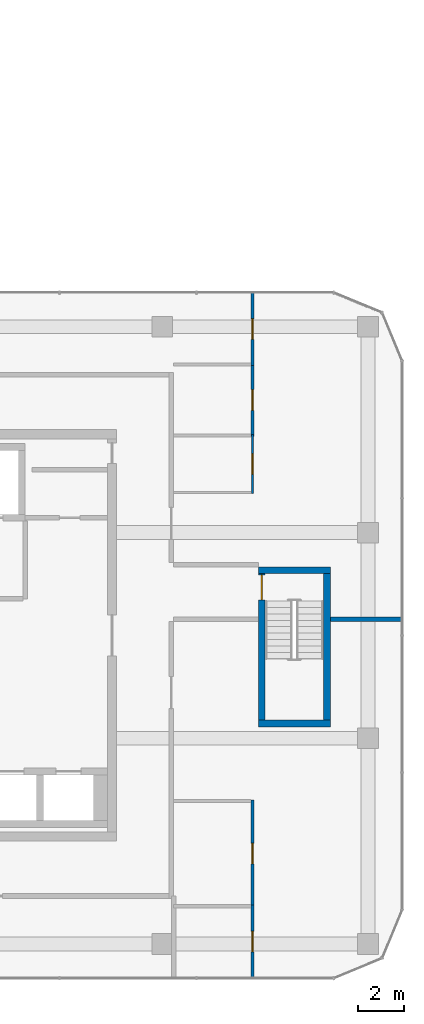
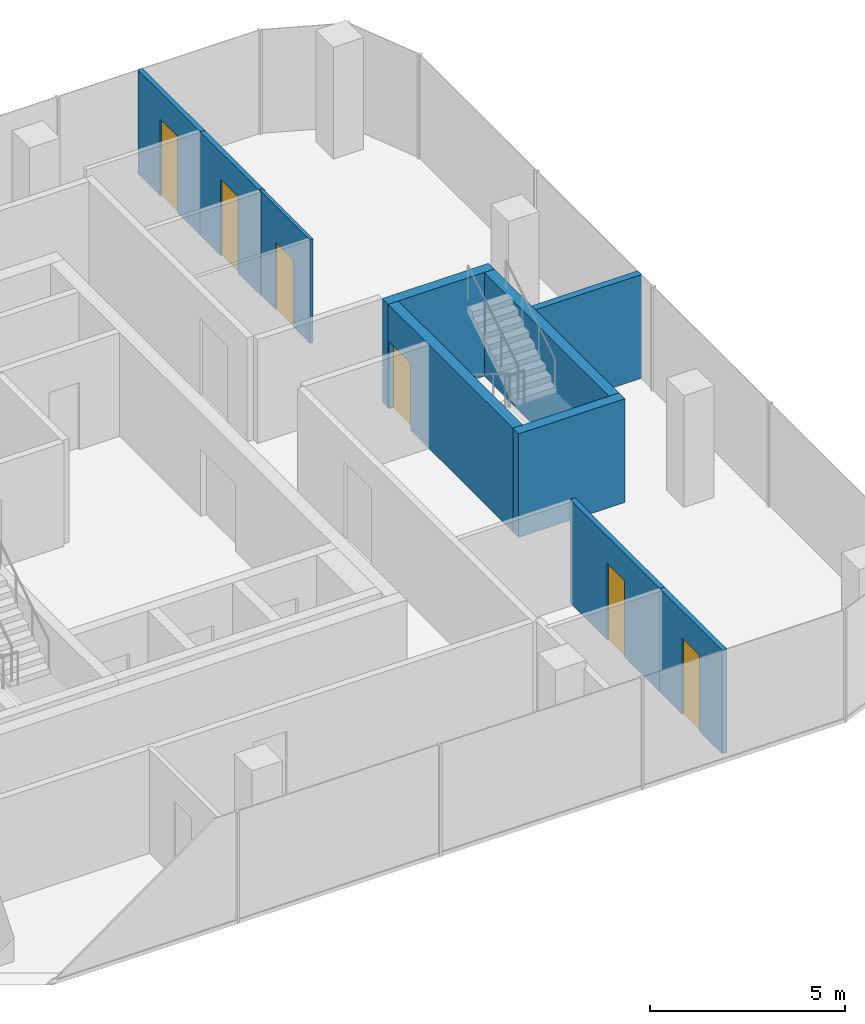
# One storey, part 19 of 23: 10 walls, 6 doors, 6 openings.
"""IFC4 building model written with IfcOpenShell, lengths in metres."""

from ifc_helpers import new_model, si_unit, direction, frame, frame_2d, origin, place, context, subcontext, project, spatial, rectangle, extrude, material, layer, layer_set, type_object, element, fill, save


model = new_model("IFC4")

# Units and contexts
model_context = context("Model", 3, precision=1e-05, world=origin(), true_north=direction((0.0, 1.0)))
body_context = subcontext(model_context, "Body", "Model", "MODEL_VIEW")
ifc_project = project(units=[si_unit("LENGTHUNIT", "METRE"), si_unit("AREAUNIT", "SQUARE_METRE"), si_unit("VOLUMEUNIT", "CUBIC_METRE"), si_unit("PLANEANGLEUNIT", "RADIAN"), si_unit("MASSUNIT", "GRAM", prefix="KILO")], contexts=[model_context])

# Site, building, storey
site_placement = place(None, origin())
site = spatial("IfcSite", under=ifc_project, at=site_placement, CompositionType="ELEMENT")
building_placement = place(site_placement, origin())
building = spatial("IfcBuilding", under=site, at=building_placement, Name="Plateau Cross Towers", CompositionType="ELEMENT")
storey_placement = place(building_placement, frame((0.0, 0.0, 92.300048828125)))
storey = spatial("IfcBuildingStorey", under=building, at=storey_placement, Name="L23", CompositionType="ELEMENT", Elevation=92.300048828125)

# Wall, opening, door
ifc_material_1 = material(Name="Concrete C60/75", Category="concrete")
ifc_layer_1 = layer(ifc_material_1, 0.300048828125)
ifc_layer_set_1 = layer_set([ifc_layer_1], Name="Concrete C60/75")
wall_type_1 = type_object("IfcWallType", Name="Core shaft wall 300", PredefinedType="SHEAR", material=ifc_layer_set_1)
wall_1_placement = place(storey_placement, frame((95.85009765625, 5.300048828125, 0.0), z_axis=(0.0, 0.0, 1.0), x_axis=(0.0, 1.0, 0.0)))
wall_1 = element("IfcWall", 1, at=wall_1_placement, inside=storey, type_object=wall_type_1, Name="B-sb3-W@L23", PredefinedType="SHEAR", context=body_context, shape_type="SweptSolid", body=[
    extrude(rectangle(XDim=6.39990234375, YDim=0.300048828125, at=frame_2d((3.199951171875, 0.0))), origin(), (0.0, 0.0, 1.0), 3.25),
])
opening_1_placement = place(wall_1_placement, frame((5.25, 0.0, 0.0)))
opening_1 = element("IfcOpeningElement", 2, at=opening_1_placement, cuts=wall_1, Name="Opening SD", PredefinedType="OPENING", context=body_context, shape_type="SweptSolid", body=[
    extrude(rectangle(XDim=1.10009765625, YDim=2.10009765625, at=frame_2d((0.550048828125, 1.050048828125))), frame((0.0, 0.159912109375, 0.0), z_axis=(0.0, -1.0, 0.0), x_axis=(1.0, 0.0, 0.0)), (0.0, 0.0, 1.0), 0.320068359375),
])
ifc_material_2 = material(Name="Steel, fire-resisting leaf", Category="steel")
door_type_1 = type_object("IfcDoorType", Name="Stair door 1100", OperationType="NOTDEFINED", PredefinedType="DOOR", material=ifc_material_2)
door_1_placement = place(opening_1_placement, origin())
door_1 = element("IfcDoor", 3, at=door_1_placement, inside=storey, type_object=door_type_1, Name="Stair door SD", OperationType="SINGLE_SWING_LEFT", OverallHeight=2.10009765625, OverallWidth=1.10009765625, PredefinedType="DOOR", context=body_context, shape_type="SweptSolid", body=[
    extrude(rectangle(XDim=1.10009765625, YDim=2.10009765625, at=frame_2d((0.550048828125, 1.050048828125))), frame((0.0, 0.02490234375, 0.0), z_axis=(0.0, -1.0, 0.0), x_axis=(1.0, 0.0, 0.0)), (0.0, 0.0, 1.0), 0.050048828125),
])
fill(opening_1, door_1)

# Walls
wall_2_placement = place(storey_placement, frame((98.699951171875, 5.300048828125, 0.0), z_axis=(0.0, 0.0, 1.0), x_axis=(0.0, 1.0, 0.0)))
element("IfcWall", 4, at=wall_2_placement, inside=storey, type_object=wall_type_1, Name="B-sb3-E@L23", PredefinedType="SHEAR", context=body_context, shape_type="SweptSolid", body=[
    extrude(rectangle(XDim=6.39990234375, YDim=0.300048828125, at=frame_2d((3.199951171875, 0.0))), origin(), (0.0, 0.0, 1.0), 3.25),
])
for number, where, z_axis, x_axis, name in (
    (5, (95.699951171875, 5.14990234375, 0.0), (0.0, 0.0, 1.0), (1.0, 0.0, 0.0), "B-sb3-S@L23"),
    (6, (95.699951171875, 11.85009765625, 0.0), (0.0, 0.0, 1.0), (1.0, 0.0, 0.0), "B-sb3-N@L23"),
):
    element("IfcWall", number, at=place(storey_placement, frame(where, z_axis=z_axis, x_axis=x_axis)), inside=storey, type_object=wall_type_1, Name=name, PredefinedType="SHEAR", context=body_context, shape_type="SweptSolid", body=[
        extrude(rectangle(XDim=3.150146484375, YDim=0.300048828125, at=frame_2d((1.5751953125, 0.0))), origin(), (0.0, 0.0, 1.0), 3.25),
    ])

# Wall, opening, door
ifc_material_3 = material(Name="Gypsum board on staggered steel studs, mineral wool, two layers each side", Category="steel")
ifc_layer_2 = layer(ifc_material_3, 0.139892578125)
ifc_layer_set_2 = layer_set([ifc_layer_2], Name="Gypsum board on staggered steel studs, mineral wool, two layers each side")
wall_type_2 = type_object("IfcWallType", Name="Meeting room acoustic partition 140", PredefinedType="PARTITIONING", material=ifc_layer_set_2)
wall_3_placement = place(storey_placement, frame((95.449951171875, -6.0, 0.0), z_axis=(0.0, 0.0, 1.0), x_axis=(0.0, 1.0, 0.0)))
wall_3 = element("IfcWall", 7, at=wall_3_placement, inside=storey, type_object=wall_type_2, Name="Acoustic wall", PredefinedType="PARTITIONING", context=body_context, shape_type="SweptSolid", body=[
    extrude(rectangle(XDim=3.199951171875, YDim=0.139892578125, at=frame_2d((1.60009765625, 0.0))), origin(), (0.0, 0.0, 1.0), 3.25),
])
opening_2_placement = place(wall_3_placement, frame((1.14990234375, 0.0, 0.0)))
opening_2 = element("IfcOpeningElement", 8, at=opening_2_placement, cuts=wall_3, Name="Opening D-BM9", PredefinedType="OPENING", context=body_context, shape_type="SweptSolid", body=[
    extrude(rectangle(XDim=0.89990234375, YDim=2.39990234375, at=frame_2d((0.449951171875, 1.199951171875))), frame((0.0, 0.079833984375, 0.0), z_axis=(0.0, -1.0, 0.0), x_axis=(1.0, 0.0, 0.0)), (0.0, 0.0, 1.0), 0.159912109375),
])
ifc_material_4 = material(Name="Timber leaf, full height", Category="wood")
door_type_2 = type_object("IfcDoorType", Name="Meeting room door 900x2400", OperationType="NOTDEFINED", PredefinedType="DOOR", material=ifc_material_4)
door_2_placement = place(opening_2_placement, origin())
door_2 = element("IfcDoor", 9, at=door_2_placement, inside=storey, type_object=door_type_2, Name="Door D-BM9", OperationType="SINGLE_SWING_LEFT", OverallHeight=2.39990234375, OverallWidth=0.89990234375, PredefinedType="DOOR", context=body_context, shape_type="SweptSolid", body=[
    extrude(rectangle(XDim=0.89990234375, YDim=2.39990234375, at=frame_2d((0.449951171875, 1.199951171875))), frame((0.0, 0.02490234375, 0.0), z_axis=(0.0, -1.0, 0.0), x_axis=(1.0, 0.0, 0.0)), (0.0, 0.0, 1.0), 0.050048828125),
])
fill(opening_2, door_2)

wall_4_placement = place(storey_placement, frame((95.449951171875, -2.89990234375, 0.0), z_axis=(0.0, 0.0, 1.0), x_axis=(0.0, 1.0, 0.0)))
wall_4 = element("IfcWall", 10, at=wall_4_placement, inside=storey, type_object=wall_type_2, Name="Acoustic wall", PredefinedType="PARTITIONING", context=body_context, shape_type="SweptSolid", body=[
    extrude(rectangle(XDim=4.699951171875, YDim=0.139892578125, at=frame_2d((2.35009765625, 0.0))), origin(), (0.0, 0.0, 1.0), 3.25),
])
opening_3_placement = place(wall_4_placement, frame((1.89990234375, 0.0, 0.0)))
opening_3 = element("IfcOpeningElement", 11, at=opening_3_placement, cuts=wall_4, Name="Opening D-BM9", PredefinedType="OPENING", context=body_context, shape_type="SweptSolid", body=[
    extrude(rectangle(XDim=0.89990234375, YDim=2.39990234375, at=frame_2d((0.449951171875, 1.199951171875))), frame((0.0, 0.079833984375, 0.0), z_axis=(0.0, -1.0, 0.0), x_axis=(1.0, 0.0, 0.0)), (0.0, 0.0, 1.0), 0.159912109375),
])
door_3_placement = place(opening_3_placement, origin())
door_3 = element("IfcDoor", 12, at=door_3_placement, inside=storey, type_object=door_type_2, Name="Door D-BM9", OperationType="SINGLE_SWING_LEFT", OverallHeight=2.39990234375, OverallWidth=0.89990234375, PredefinedType="DOOR", context=body_context, shape_type="SweptSolid", body=[
    extrude(rectangle(XDim=0.89990234375, YDim=2.39990234375, at=frame_2d((0.449951171875, 1.199951171875))), frame((0.0, 0.02490234375, 0.0), z_axis=(0.0, -1.0, 0.0), x_axis=(1.0, 0.0, 0.0)), (0.0, 0.0, 1.0), 0.050048828125),
])
fill(opening_3, door_3)

wall_5_placement = place(storey_placement, frame((95.449951171875, 20.800048828125, 0.0), z_axis=(0.0, 0.0, 1.0), x_axis=(0.0, 1.0, 0.0)))
wall_5 = element("IfcWall", 13, at=wall_5_placement, inside=storey, type_object=wall_type_2, Name="Acoustic wall", PredefinedType="PARTITIONING", context=body_context, shape_type="SweptSolid", body=[
    extrude(rectangle(XDim=3.199951171875, YDim=0.139892578125, at=frame_2d((1.60009765625, 0.0))), origin(), (0.0, 0.0, 1.0), 3.25),
])
opening_4_placement = place(wall_5_placement, frame((1.14990234375, 0.0, 0.0)))
opening_4 = element("IfcOpeningElement", 14, at=opening_4_placement, cuts=wall_5, Name="Opening D-BM9", PredefinedType="OPENING", context=body_context, shape_type="SweptSolid", body=[
    extrude(rectangle(XDim=0.89990234375, YDim=2.39990234375, at=frame_2d((0.449951171875, 1.199951171875))), frame((0.0, 0.079833984375, 0.0), z_axis=(0.0, -1.0, 0.0), x_axis=(1.0, 0.0, 0.0)), (0.0, 0.0, 1.0), 0.159912109375),
])
door_4_placement = place(opening_4_placement, origin())
door_4 = element("IfcDoor", 15, at=door_4_placement, inside=storey, type_object=door_type_2, Name="Door D-BM9", OperationType="SINGLE_SWING_LEFT", OverallHeight=2.39990234375, OverallWidth=0.89990234375, PredefinedType="DOOR", context=body_context, shape_type="SweptSolid", body=[
    extrude(rectangle(XDim=0.89990234375, YDim=2.39990234375, at=frame_2d((0.449951171875, 1.199951171875))), frame((0.0, 0.02490234375, 0.0), z_axis=(0.0, -1.0, 0.0), x_axis=(1.0, 0.0, 0.0)), (0.0, 0.0, 1.0), 0.050048828125),
])
fill(opening_4, door_4)

wall_6_placement = place(storey_placement, frame((95.449951171875, 17.699951171875, 0.0), z_axis=(0.0, 0.0, 1.0), x_axis=(0.0, 1.0, 0.0)))
wall_6 = element("IfcWall", 16, at=wall_6_placement, inside=storey, type_object=wall_type_2, Name="Acoustic wall", PredefinedType="PARTITIONING", context=body_context, shape_type="SweptSolid", body=[
    extrude(rectangle(XDim=3.199951171875, YDim=0.139892578125, at=frame_2d((1.60009765625, 0.0))), origin(), (0.0, 0.0, 1.0), 3.25),
])
opening_5_placement = place(wall_6_placement, frame((1.14990234375, 0.0, 0.0)))
opening_5 = element("IfcOpeningElement", 17, at=opening_5_placement, cuts=wall_6, Name="Opening D-BM9", PredefinedType="OPENING", context=body_context, shape_type="SweptSolid", body=[
    extrude(rectangle(XDim=0.89990234375, YDim=2.39990234375, at=frame_2d((0.449951171875, 1.199951171875))), frame((0.0, 0.079833984375, 0.0), z_axis=(0.0, -1.0, 0.0), x_axis=(1.0, 0.0, 0.0)), (0.0, 0.0, 1.0), 0.159912109375),
])
door_5_placement = place(opening_5_placement, origin())
door_5 = element("IfcDoor", 18, at=door_5_placement, inside=storey, type_object=door_type_2, Name="Door D-BM9", OperationType="SINGLE_SWING_LEFT", OverallHeight=2.39990234375, OverallWidth=0.89990234375, PredefinedType="DOOR", context=body_context, shape_type="SweptSolid", body=[
    extrude(rectangle(XDim=0.89990234375, YDim=2.39990234375, at=frame_2d((0.449951171875, 1.199951171875))), frame((0.0, 0.02490234375, 0.0), z_axis=(0.0, -1.0, 0.0), x_axis=(1.0, 0.0, 0.0)), (0.0, 0.0, 1.0), 0.050048828125),
])
fill(opening_5, door_5)

ifc_material_5 = material(Name="Gypsum board on steel studs", Category="steel")
ifc_layer_3 = layer(ifc_material_5, 0.10009765625)
ifc_layer_set_3 = layer_set([ifc_layer_3], Name="Gypsum board on steel studs")
wall_type_3 = type_object("IfcWallType", Name="Office partition 100", PredefinedType="PARTITIONING", material=ifc_layer_set_3)
wall_7_placement = place(storey_placement, frame((95.449951171875, 15.199951171875, 0.0), z_axis=(0.0, 0.0, 1.0), x_axis=(0.0, 1.0, 0.0)))
wall_7 = element("IfcWall", 19, at=wall_7_placement, inside=storey, type_object=wall_type_3, Name="Part wall", PredefinedType="PARTITIONING", context=body_context, shape_type="SweptSolid", body=[
    extrude(rectangle(XDim=2.60009765625, YDim=0.10009765625, at=frame_2d((1.300048828125, 0.0))), origin(), (0.0, 0.0, 1.0), 3.25),
])
opening_6_placement = place(wall_7_placement, frame((0.85009765625, 0.0, 0.0)))
opening_6 = element("IfcOpeningElement", 20, at=opening_6_placement, cuts=wall_7, Name="Opening D-BR9", PredefinedType="OPENING", context=body_context, shape_type="SweptSolid", body=[
    extrude(rectangle(XDim=0.89990234375, YDim=2.10009765625, at=frame_2d((0.449951171875, 1.050048828125))), frame((0.0, 0.06005859375, 0.0), z_axis=(0.0, -1.0, 0.0), x_axis=(1.0, 0.0, 0.0)), (0.0, 0.0, 1.0), 0.1201171875),
])
ifc_material_6 = material(Name="Timber leaf", Category="wood")
door_type_3 = type_object("IfcDoorType", Name="Office room door 900", OperationType="NOTDEFINED", PredefinedType="DOOR", material=ifc_material_6)
door_6_placement = place(opening_6_placement, origin())
door_6 = element("IfcDoor", 21, at=door_6_placement, inside=storey, type_object=door_type_3, Name="Door D-BR9", OperationType="SINGLE_SWING_LEFT", OverallHeight=2.10009765625, OverallWidth=0.89990234375, PredefinedType="DOOR", context=body_context, shape_type="SweptSolid", body=[
    extrude(rectangle(XDim=0.89990234375, YDim=2.10009765625, at=frame_2d((0.449951171875, 1.050048828125))), frame((0.0, 0.02490234375, 0.0), z_axis=(0.0, -1.0, 0.0), x_axis=(1.0, 0.0, 0.0)), (0.0, 0.0, 1.0), 0.050048828125),
])
fill(opening_6, door_6)

# Wall
ifc_material_7 = material(Name="Gypsum board on steel studs, two layers each side", Category="steel")
ifc_layer_4 = layer(ifc_material_7, 0.199951171875)
ifc_layer_set_4 = layer_set([ifc_layer_4], Name="Gypsum board on steel studs, two layers each side")
wall_type_4 = type_object("IfcWallType", Name="Tenancy demising wall 200", PredefinedType="PARTITIONING", material=ifc_layer_set_4)
wall_8_placement = place(storey_placement, frame((98.85009765625, 9.699951171875, 0.0), z_axis=(0.0, 0.0, 1.0), x_axis=(1.0, 0.0, 0.0)))
element("IfcWall", 22, at=wall_8_placement, inside=storey, type_object=wall_type_4, Name="Demising wall", PredefinedType="PARTITIONING", context=body_context, shape_type="SweptSolid", body=[
    extrude(rectangle(XDim=3.14990234375, YDim=0.199951171875, at=frame_2d((1.574951171875, 0.0))), origin(), (0.0, 0.0, 1.0), 3.25),
])

save(model, "model.ifc")
